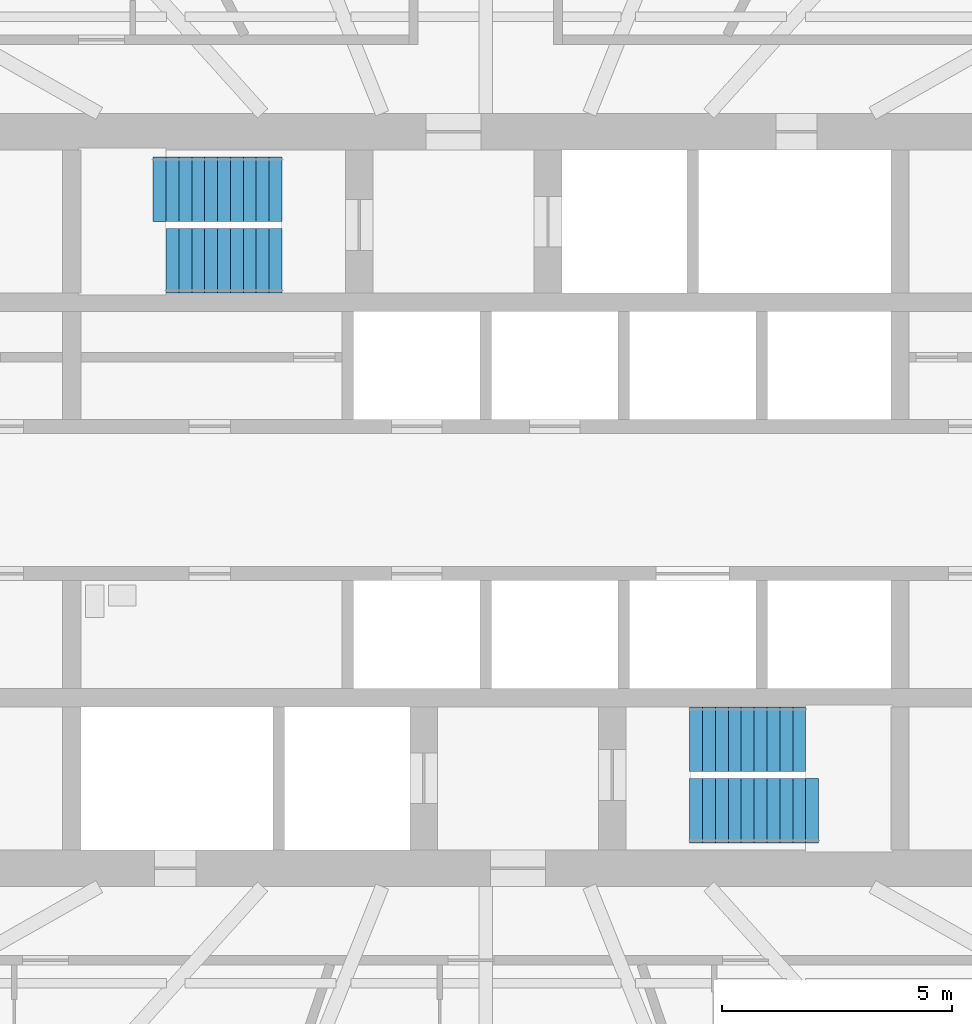
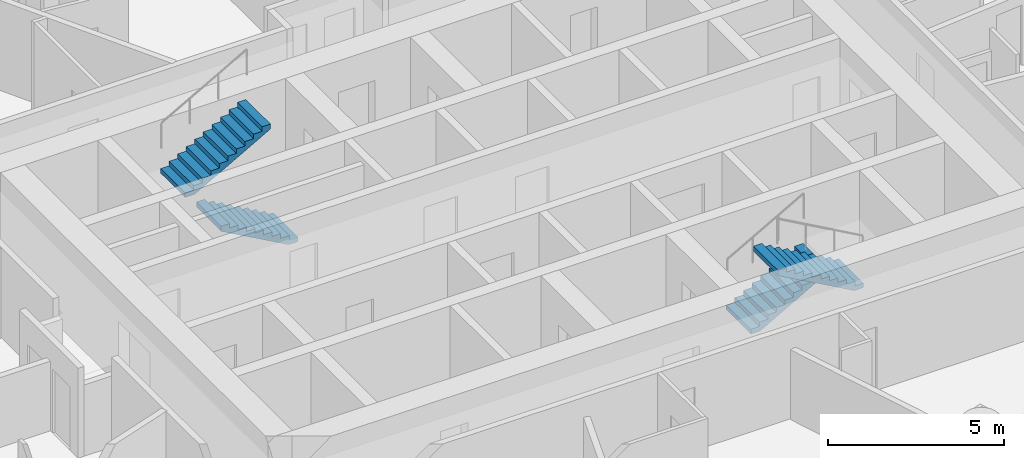
# One storey, part 14 of 16: 4 stair flights, 2 elements without a shape of their own.
"""IFC4 building model written with IfcOpenShell, lengths in metres."""

from ifc_helpers import new_model, si_unit, direction, frame, origin, place, context, subcontext, project, spatial, polyline, outline, extrude, material, type_object, element, aggregate, save


model = new_model("IFC4")

# Units and contexts
model_context = context("Model", 3, precision=1e-05, world=origin(), true_north=direction((0.0, 1.0)))
body_context = subcontext(model_context, "Body", "Model", "MODEL_VIEW")
ifc_project = project(units=[si_unit("LENGTHUNIT", "METRE"), si_unit("AREAUNIT", "SQUARE_METRE"), si_unit("VOLUMEUNIT", "CUBIC_METRE"), si_unit("PLANEANGLEUNIT", "RADIAN"), si_unit("MASSUNIT", "GRAM", prefix="KILO")], contexts=[model_context])

# Site, building, storey
site_placement = place(None, origin())
site = spatial("IfcSite", under=ifc_project, at=site_placement, CompositionType="ELEMENT")
building_placement = place(site_placement, origin())
building = spatial("IfcBuilding", under=site, at=building_placement, Name="Hankou Lantern Tower", CompositionType="ELEMENT")
storey_placement = place(building_placement, frame((0.0, 0.0, 173.10009765625)))
storey = spatial("IfcBuildingStorey", under=building, at=storey_placement, Name="L46", CompositionType="ELEMENT", Elevation=173.10009765625)

# Stair, stair flight
ifc_material_1 = material(Name="Concrete C40", Category="concrete")
stair_type = type_object("IfcStairType", Name="ST33 CORE STAIR 3300 RISE", PredefinedType="HALF_TURN_STAIR", material=ifc_material_1)
stair_1_placement = place(storey_placement, origin())
stair_1 = element("IfcStair", 1, at=stair_1_placement, inside=storey, type_object=stair_type, Name="Stair STA L46", PredefinedType="HALF_TURN_STAIR")
ifc_material_2 = material(Name="Concrete C40", Category="concrete")
stair_flight_type_1 = type_object("IfcStairFlightType", Name="CF10 CORE STAIR FLIGHT 1400 X 10 RISERS", PredefinedType="STRAIGHT", material=ifc_material_2)
stair_flight_1_placement = place(storey_placement, frame((-4.429931640625, 5.199951171875, 0.0), z_axis=(0.0, 0.0, 1.0), x_axis=(-1.0, 0.0, 0.0)))
stair_flight_1 = element("IfcStairFlight", 2, at=stair_flight_1_placement, type_object=stair_flight_type_1, Name="STA flight 1", NumberOfRisers=10, NumberOfTreads=9, PredefinedType="STRAIGHT", RiserHeight=0.157142857, TreadLength=0.28, context=body_context, shape_type="SweptSolid", body=[
    extrude(outline(polyline([(0.0, 0.0), (0.0, 0.1572265625), (0.280029296875, 0.1572265625), (0.280029296875, 0.314208984375), (0.56005859375, 0.314208984375), (0.56005859375, 0.471435546875), (0.840087890625, 0.471435546875), (0.840087890625, 0.628662109375), (1.1201171875, 0.628662109375), (1.1201171875, 0.78564453125), (1.39990234375, 0.78564453125), (1.39990234375, 0.94287109375), (1.679931640625, 0.94287109375), (1.679931640625, 1.10009765625), (1.9599609375, 1.10009765625), (1.9599609375, 1.257080078125), (2.239990234375, 1.257080078125), (2.239990234375, 1.414306640625), (2.52001953125, 1.414306640625), (2.52001953125, 1.571533203125), (2.52001953125, 1.242431640625), (0.306396484375, 0.0), (0.0, 0.0)])), frame((0.0, 0.699951171875, 0.0), z_axis=(0.0, -1.0, 0.0), x_axis=(1.0, 0.0, 0.0)), (0.0, 0.0, 1.0), 1.39990234375),
])

stair_2_placement = place(storey_placement, origin())
stair_2 = element("IfcStair", 3, at=stair_2_placement, inside=storey, type_object=stair_type, Name="Stair STB L46", PredefinedType="HALF_TURN_STAIR")
stair_flight_2_placement = place(storey_placement, frame((4.429931640625, -5.199951171875, 0.0), z_axis=(0.0, 0.0, 1.0), x_axis=(1.0, 0.0, 0.0)))
stair_flight_2 = element("IfcStairFlight", 4, at=stair_flight_2_placement, type_object=stair_flight_type_1, Name="STB flight 1", NumberOfRisers=10, NumberOfTreads=9, PredefinedType="STRAIGHT", RiserHeight=0.157142857, TreadLength=0.28, context=body_context, shape_type="SweptSolid", body=[
    extrude(outline(polyline([(0.0, 0.0), (0.0, 0.1572265625), (0.280029296875, 0.1572265625), (0.280029296875, 0.314208984375), (0.56005859375, 0.314208984375), (0.56005859375, 0.471435546875), (0.840087890625, 0.471435546875), (0.840087890625, 0.628662109375), (1.1201171875, 0.628662109375), (1.1201171875, 0.78564453125), (1.39990234375, 0.78564453125), (1.39990234375, 0.94287109375), (1.679931640625, 0.94287109375), (1.679931640625, 1.10009765625), (1.9599609375, 1.10009765625), (1.9599609375, 1.257080078125), (2.239990234375, 1.257080078125), (2.239990234375, 1.414306640625), (2.52001953125, 1.414306640625), (2.52001953125, 1.571533203125), (2.52001953125, 1.242431640625), (0.306396484375, 0.0), (0.0, 0.0)])), frame((0.0, 0.699951171875, 0.0), z_axis=(0.0, -1.0, 0.0), x_axis=(1.0, 0.0, 0.0)), (0.0, 0.0, 1.0), 1.39990234375),
])

# Stair flight
ifc_material_3 = material(Name="Concrete C40", Category="concrete")
stair_flight_type_2 = type_object("IfcStairFlightType", Name="CF11 CORE STAIR FLIGHT 1400 X 11 RISERS", PredefinedType="STRAIGHT", material=ifc_material_3)
stair_flight_3_placement = place(storey_placement, frame((-7.22998046875, 6.75, 1.5712890625), z_axis=(0.0, 0.0, 1.0), x_axis=(1.0, 0.0, 0.0)))
stair_flight_3 = element("IfcStairFlight", 5, at=stair_flight_3_placement, type_object=stair_flight_type_2, Name="STA flight 2", NumberOfRisers=11, NumberOfTreads=10, PredefinedType="STRAIGHT", RiserHeight=0.157142857, TreadLength=0.28, context=body_context, shape_type="SweptSolid", body=[
    extrude(outline(polyline([(0.0, 0.0), (0.0, 0.1572265625), (0.280029296875, 0.1572265625), (0.280029296875, 0.314208984375), (0.56005859375, 0.314208984375), (0.56005859375, 0.471435546875), (0.840087890625, 0.471435546875), (0.840087890625, 0.628662109375), (1.1201171875, 0.628662109375), (1.1201171875, 0.78564453125), (1.39990234375, 0.78564453125), (1.39990234375, 0.94287109375), (1.679931640625, 0.94287109375), (1.679931640625, 1.10009765625), (1.9599609375, 1.10009765625), (1.9599609375, 1.257080078125), (2.239990234375, 1.257080078125), (2.239990234375, 1.414306640625), (2.52001953125, 1.414306640625), (2.52001953125, 1.571533203125), (2.800048828125, 1.571533203125), (2.800048828125, 1.728515625), (2.800048828125, 1.3994140625), (0.306396484375, 0.0), (0.0, 0.0)])), frame((0.0, 0.699951171875, 0.0), z_axis=(0.0, -1.0, 0.0), x_axis=(1.0, 0.0, 0.0)), (0.0, 0.0, 1.0), 1.39990234375),
])

aggregate(stair_1, [stair_flight_1, stair_flight_3])

stair_flight_4_placement = place(storey_placement, frame((7.22998046875, -6.75, 1.5712890625), z_axis=(0.0, 0.0, 1.0), x_axis=(-1.0, 0.0, 0.0)))
stair_flight_4 = element("IfcStairFlight", 6, at=stair_flight_4_placement, type_object=stair_flight_type_2, Name="STB flight 2", NumberOfRisers=11, NumberOfTreads=10, PredefinedType="STRAIGHT", RiserHeight=0.157142857, TreadLength=0.28, context=body_context, shape_type="SweptSolid", body=[
    extrude(outline(polyline([(0.0, 0.0), (0.0, 0.1572265625), (0.280029296875, 0.1572265625), (0.280029296875, 0.314208984375), (0.56005859375, 0.314208984375), (0.56005859375, 0.471435546875), (0.840087890625, 0.471435546875), (0.840087890625, 0.628662109375), (1.1201171875, 0.628662109375), (1.1201171875, 0.78564453125), (1.39990234375, 0.78564453125), (1.39990234375, 0.94287109375), (1.679931640625, 0.94287109375), (1.679931640625, 1.10009765625), (1.9599609375, 1.10009765625), (1.9599609375, 1.257080078125), (2.239990234375, 1.257080078125), (2.239990234375, 1.414306640625), (2.52001953125, 1.414306640625), (2.52001953125, 1.571533203125), (2.800048828125, 1.571533203125), (2.800048828125, 1.728515625), (2.800048828125, 1.3994140625), (0.306396484375, 0.0), (0.0, 0.0)])), frame((0.0, 0.699951171875, 0.0), z_axis=(0.0, -1.0, 0.0), x_axis=(1.0, 0.0, 0.0)), (0.0, 0.0, 1.0), 1.39990234375),
])

aggregate(stair_2, [stair_flight_2, stair_flight_4])

save(model, "model.ifc")
